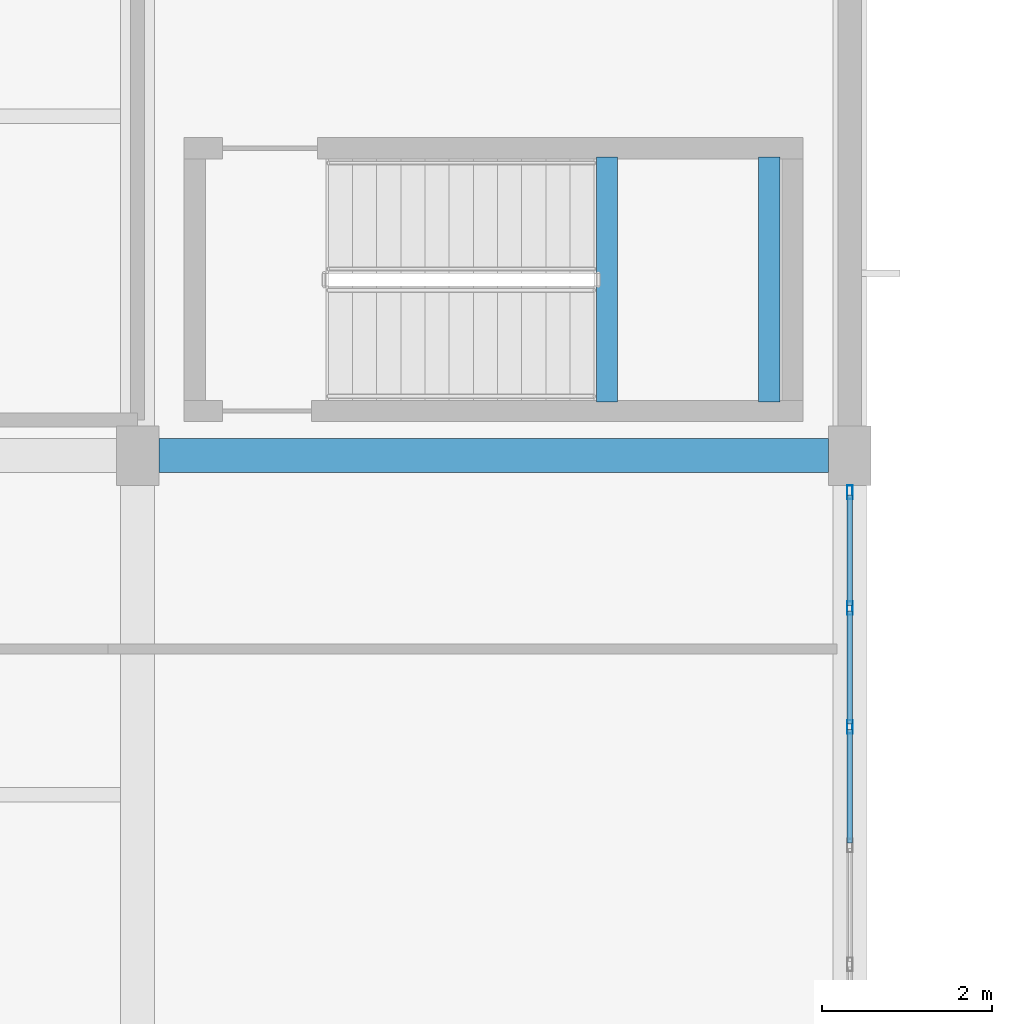
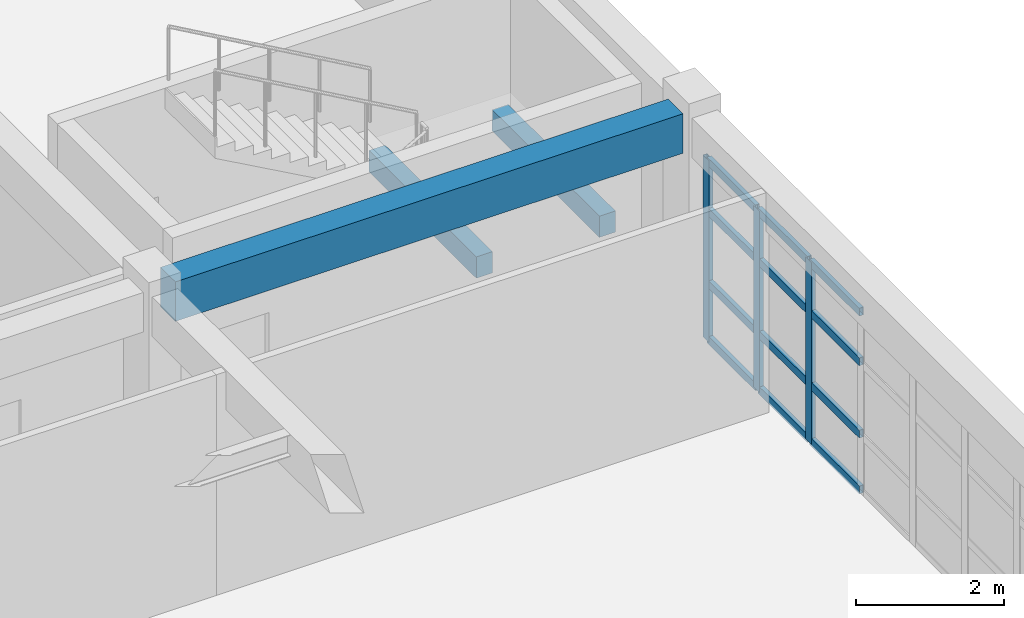
# One storey, part 34 of 150: 15 members, 3 beams, 1 element without a shape of its own.
"""IFC4 building model written with IfcOpenShell, lengths in metres."""

from ifc_helpers import new_model, si_unit, direction, frame, origin, origin_2d, place, context, subcontext, project, spatial, rectangle, hollow_rectangle, extrude, material, material_profile, profile_set, type_object, element, aggregate, save


model = new_model("IFC4")

# Units and contexts
model_context = context("Model", 3, precision=1e-05, world=origin(), true_north=direction((0.0, 1.0)))
body_context = subcontext(model_context, "Body", "Model", "MODEL_VIEW")
ifc_project = project(units=[si_unit("LENGTHUNIT", "METRE"), si_unit("AREAUNIT", "SQUARE_METRE"), si_unit("VOLUMEUNIT", "CUBIC_METRE"), si_unit("PLANEANGLEUNIT", "RADIAN"), si_unit("MASSUNIT", "GRAM", prefix="KILO")], contexts=[model_context])

# Site, building, storey
site_placement = place(None, origin())
site = spatial("IfcSite", under=ifc_project, at=site_placement, CompositionType="ELEMENT")
building_placement = place(site_placement, origin())
building = spatial("IfcBuilding", under=site, at=building_placement, Name="Kestramere Prow Commons", CompositionType="ELEMENT")
storey_placement = place(building_placement, frame((0.0, 0.0, 4.5)))
storey = spatial("IfcBuildingStorey", under=building, at=storey_placement, Name="L01", CompositionType="ELEMENT", Elevation=4.5)

# Beams
ifc_material_1 = material(Name="Precast concrete C40/50", Category="concrete")
ifc_material_profile_1 = material_profile(ifc_material_1, rectangle(XDim=0.39990234375, YDim=0.64990234375, at=origin_2d()), Name="PC-BM 400x650")
ifc_profile_set_1 = profile_set([ifc_material_profile_1], Name="Precast concrete C40/50")
beam_type_1 = type_object("IfcBeamType", Name="BM-MK-01 PC-BM 400x650", PredefinedType="BEAM", material=ifc_profile_set_1)
beam_placement = place(storey_placement, frame((103.85009765625, 12.0, 3.324951171875), z_axis=(1.0, 0.0, 0.0), x_axis=(0.0, 1.0, 0.0)))
element("IfcBeam", 1, at=beam_placement, inside=storey, type_object=beam_type_1, Name="Market Spine L01 Beam X 2-6", PredefinedType="BEAM", context=body_context, shape_type="SweptSolid", body=[
    extrude(rectangle(XDim=0.39990234375, YDim=0.64990234375, at=origin_2d()), origin(), (0.0, 0.0, 1.0), 7.89990234375),
])
ifc_material_2 = material(Name="Concrete C40/50", Category="concrete")
ifc_material_profile_2 = material_profile(ifc_material_2, rectangle(XDim=0.25, YDim=0.35009765625, at=origin_2d()), Name="PC-BM 250x350")
ifc_profile_set_2 = profile_set([ifc_material_profile_2], Name="Concrete C40/50")
beam_type_2 = type_object("IfcBeamType", Name="BM-ST-TRIM", PredefinedType="BEAM", material=ifc_profile_set_2)
for number, where, z_axis, x_axis, name in (
    (2, (109.135009765625, 12.6298828125, 1.574951171875), (0.0, 1.0, 0.0), (-1.0, 0.0, 0.0), "ST-M2 L01 Landing Trimmer Beam 1A"),
    (3, (111.050048828125, 12.6298828125, 1.574951171875), (0.0, 1.0, 0.0), (-1.0, 0.0, 0.0), "ST-M2 L01 Landing Trimmer Beam 1B"),
):
    element("IfcBeam", number, at=place(storey_placement, frame(where, z_axis=z_axis, x_axis=x_axis)), inside=storey, type_object=beam_type_2, Name=name, PredefinedType="BEAM", context=body_context, shape_type="SweptSolid", body=[
        extrude(rectangle(XDim=0.25, YDim=0.35009765625, at=origin_2d()), origin(), (0.0, 0.0, 1.0), 2.89013671875),
    ])

# Curtain wall, members
ifc_material_3 = material(Name="Anodised Aluminium and Low-E Glass", Category="aluminium")
curtain_wall_type = type_object("IfcCurtainWallType", Name="CW-27 Glazed Curtain Wall 11200x2990", PredefinedType="USERDEFINED", material=ifc_material_3)
curtain_wall_placement = place(storey_placement, origin())
curtain_wall = element("IfcCurtainWall", 4, at=curtain_wall_placement, inside=storey, type_object=curtain_wall_type, Name="Market L01 E Glazing", ObjectType="GLAZED CURTAIN WALL", PredefinedType="USERDEFINED")
ifc_material_4 = material(Name="Anodised Aluminium 6063-T6", Category="aluminium")
ifc_material_profile_3 = material_profile(ifc_material_4, hollow_rectangle(XDim=0.06494140625, YDim=0.159912109375, WallThickness=0.00390625, at=origin_2d()), Name="ALU-MUL 65x160")
ifc_profile_set_3 = profile_set([ifc_material_profile_3], Name="Anodised Aluminium 6063-T6")
member_type_1 = type_object("IfcMemberType", Name="CW-MUL-65x160", PredefinedType="MULLION", material=ifc_profile_set_3)
member_1_placement = place(storey_placement, frame((112.0, 11.5673828125, 0.0), z_axis=(0.0, 0.0, 1.0), x_axis=(1.0, 0.0, 0.0)))
member_1 = element("IfcMember", 5, at=member_1_placement, type_object=member_type_1, Name="CW-27 mullion 1", PredefinedType="MULLION", context=body_context, shape_type="SweptSolid", body=[
    extrude(hollow_rectangle(XDim=0.06494140625, YDim=0.159912109375, WallThickness=0.00390625, at=origin_2d()), origin(), (0.0, 0.0, 1.0), 2.989990234375),
])
member_2_placement = place(storey_placement, frame((112.0, 10.199951171875, 0.0), z_axis=(0.0, 0.0, 1.0), x_axis=(1.0, 0.0, 0.0)))
member_2 = element("IfcMember", 6, at=member_2_placement, type_object=member_type_1, Name="CW-27 mullion 2", PredefinedType="MULLION", context=body_context, shape_type="SweptSolid", body=[
    extrude(hollow_rectangle(XDim=0.06494140625, YDim=0.159912109375, WallThickness=0.00390625, at=origin_2d()), origin(), (0.0, 0.0, 1.0), 2.989990234375),
])
member_3_placement = place(storey_placement, frame((112.0, 8.800048828125, 0.0), z_axis=(0.0, 0.0, 1.0), x_axis=(1.0, 0.0, 0.0)))
member_3 = element("IfcMember", 7, at=member_3_placement, type_object=member_type_1, Name="CW-27 mullion 3", PredefinedType="MULLION", context=body_context, shape_type="SweptSolid", body=[
    extrude(hollow_rectangle(XDim=0.06494140625, YDim=0.159912109375, WallThickness=0.00390625, at=origin_2d()), origin(), (0.0, 0.0, 1.0), 2.989990234375),
])
ifc_material_profile_4 = material_profile(ifc_material_4, hollow_rectangle(XDim=0.06494140625, YDim=0.1298828125, WallThickness=0.00390625, at=origin_2d()), Name="ALU-TRN 65x130")
ifc_profile_set_4 = profile_set([ifc_material_profile_4], Name="Anodised Aluminium 6063-T6")
member_type_2 = type_object("IfcMemberType", Name="CW-TRN-65x130", PredefinedType="USERDEFINED", material=ifc_profile_set_4)
member_4_placement = place(storey_placement, frame((112.0, 11.534912109375, 0.032470703125), z_axis=(0.0, -1.0, 0.0), x_axis=(1.0, 0.0, 0.0)))
member_4 = element("IfcMember", 8, at=member_4_placement, type_object=member_type_2, Name="CW-27 transom 1.1", ObjectType="TRANSOM", PredefinedType="USERDEFINED", context=body_context, shape_type="SweptSolid", body=[
    extrude(hollow_rectangle(XDim=0.06494140625, YDim=0.1298828125, WallThickness=0.00390625, at=origin_2d()), origin(), (0.0, 0.0, 1.0), 1.302490234375),
])
member_5_placement = place(storey_placement, frame((112.0, 11.534912109375, 0.949951171875), z_axis=(0.0, -1.0, 0.0), x_axis=(1.0, 0.0, 0.0)))
member_5 = element("IfcMember", 9, at=member_5_placement, type_object=member_type_2, Name="CW-27 transom 1.2", ObjectType="TRANSOM", PredefinedType="USERDEFINED", context=body_context, shape_type="SweptSolid", body=[
    extrude(hollow_rectangle(XDim=0.06494140625, YDim=0.1298828125, WallThickness=0.00390625, at=origin_2d()), origin(), (0.0, 0.0, 1.0), 1.302490234375),
])
member_6_placement = place(storey_placement, frame((112.0, 11.534912109375, 2.139892578125), z_axis=(0.0, -1.0, 0.0), x_axis=(1.0, 0.0, 0.0)))
member_6 = element("IfcMember", 10, at=member_6_placement, type_object=member_type_2, Name="CW-27 transom 1.3", ObjectType="TRANSOM", PredefinedType="USERDEFINED", context=body_context, shape_type="SweptSolid", body=[
    extrude(hollow_rectangle(XDim=0.06494140625, YDim=0.1298828125, WallThickness=0.00390625, at=origin_2d()), origin(), (0.0, 0.0, 1.0), 1.302490234375),
])
member_7_placement = place(storey_placement, frame((112.0, 11.534912109375, 2.95751953125), z_axis=(0.0, -1.0, 0.0), x_axis=(1.0, 0.0, 0.0)))
member_7 = element("IfcMember", 11, at=member_7_placement, type_object=member_type_2, Name="CW-27 transom 1.4", ObjectType="TRANSOM", PredefinedType="USERDEFINED", context=body_context, shape_type="SweptSolid", body=[
    extrude(hollow_rectangle(XDim=0.06494140625, YDim=0.1298828125, WallThickness=0.00390625, at=origin_2d()), origin(), (0.0, 0.0, 1.0), 1.302490234375),
])
member_8_placement = place(storey_placement, frame((112.0, 10.16748046875, 0.032470703125), z_axis=(0.0, -1.0, 0.0), x_axis=(1.0, 0.0, 0.0)))
member_8 = element("IfcMember", 12, at=member_8_placement, type_object=member_type_2, Name="CW-27 transom 2.1", ObjectType="TRANSOM", PredefinedType="USERDEFINED", context=body_context, shape_type="SweptSolid", body=[
    extrude(hollow_rectangle(XDim=0.06494140625, YDim=0.1298828125, WallThickness=0.00390625, at=origin_2d()), origin(), (0.0, 0.0, 1.0), 1.3349609375),
])
member_9_placement = place(storey_placement, frame((112.0, 10.16748046875, 0.949951171875), z_axis=(0.0, -1.0, 0.0), x_axis=(1.0, 0.0, 0.0)))
member_9 = element("IfcMember", 13, at=member_9_placement, type_object=member_type_2, Name="CW-27 transom 2.2", ObjectType="TRANSOM", PredefinedType="USERDEFINED", context=body_context, shape_type="SweptSolid", body=[
    extrude(hollow_rectangle(XDim=0.06494140625, YDim=0.1298828125, WallThickness=0.00390625, at=origin_2d()), origin(), (0.0, 0.0, 1.0), 1.3349609375),
])
member_10_placement = place(storey_placement, frame((112.0, 10.16748046875, 2.139892578125), z_axis=(0.0, -1.0, 0.0), x_axis=(1.0, 0.0, 0.0)))
member_10 = element("IfcMember", 14, at=member_10_placement, type_object=member_type_2, Name="CW-27 transom 2.3", ObjectType="TRANSOM", PredefinedType="USERDEFINED", context=body_context, shape_type="SweptSolid", body=[
    extrude(hollow_rectangle(XDim=0.06494140625, YDim=0.1298828125, WallThickness=0.00390625, at=origin_2d()), origin(), (0.0, 0.0, 1.0), 1.3349609375),
])
member_11_placement = place(storey_placement, frame((112.0, 10.16748046875, 2.95751953125), z_axis=(0.0, -1.0, 0.0), x_axis=(1.0, 0.0, 0.0)))
member_11 = element("IfcMember", 15, at=member_11_placement, type_object=member_type_2, Name="CW-27 transom 2.4", ObjectType="TRANSOM", PredefinedType="USERDEFINED", context=body_context, shape_type="SweptSolid", body=[
    extrude(hollow_rectangle(XDim=0.06494140625, YDim=0.1298828125, WallThickness=0.00390625, at=origin_2d()), origin(), (0.0, 0.0, 1.0), 1.3349609375),
])
member_12_placement = place(storey_placement, frame((112.0, 8.767578125, 0.032470703125), z_axis=(0.0, -1.0, 0.0), x_axis=(1.0, 0.0, 0.0)))
member_12 = element("IfcMember", 16, at=member_12_placement, type_object=member_type_2, Name="CW-27 transom 3.1", ObjectType="TRANSOM", PredefinedType="USERDEFINED", context=body_context, shape_type="SweptSolid", body=[
    extrude(hollow_rectangle(XDim=0.06494140625, YDim=0.1298828125, WallThickness=0.00390625, at=origin_2d()), origin(), (0.0, 0.0, 1.0), 1.3349609375),
])
member_13_placement = place(storey_placement, frame((112.0, 8.767578125, 0.949951171875), z_axis=(0.0, -1.0, 0.0), x_axis=(1.0, 0.0, 0.0)))
member_13 = element("IfcMember", 17, at=member_13_placement, type_object=member_type_2, Name="CW-27 transom 3.2", ObjectType="TRANSOM", PredefinedType="USERDEFINED", context=body_context, shape_type="SweptSolid", body=[
    extrude(hollow_rectangle(XDim=0.06494140625, YDim=0.1298828125, WallThickness=0.00390625, at=origin_2d()), origin(), (0.0, 0.0, 1.0), 1.3349609375),
])
member_14_placement = place(storey_placement, frame((112.0, 8.767578125, 2.139892578125), z_axis=(0.0, -1.0, 0.0), x_axis=(1.0, 0.0, 0.0)))
member_14 = element("IfcMember", 18, at=member_14_placement, type_object=member_type_2, Name="CW-27 transom 3.3", ObjectType="TRANSOM", PredefinedType="USERDEFINED", context=body_context, shape_type="SweptSolid", body=[
    extrude(hollow_rectangle(XDim=0.06494140625, YDim=0.1298828125, WallThickness=0.00390625, at=origin_2d()), origin(), (0.0, 0.0, 1.0), 1.3349609375),
])
member_15_placement = place(storey_placement, frame((112.0, 8.767578125, 2.95751953125), z_axis=(0.0, -1.0, 0.0), x_axis=(1.0, 0.0, 0.0)))
member_15 = element("IfcMember", 19, at=member_15_placement, type_object=member_type_2, Name="CW-27 transom 3.4", ObjectType="TRANSOM", PredefinedType="USERDEFINED", context=body_context, shape_type="SweptSolid", body=[
    extrude(hollow_rectangle(XDim=0.06494140625, YDim=0.1298828125, WallThickness=0.00390625, at=origin_2d()), origin(), (0.0, 0.0, 1.0), 1.3349609375),
])
aggregate(curtain_wall, [member_1, member_2, member_3, member_4, member_5, member_6, member_7, member_8, member_9, member_10, member_11, member_12, member_13, member_14, member_15])

save(model, "model.ifc")
